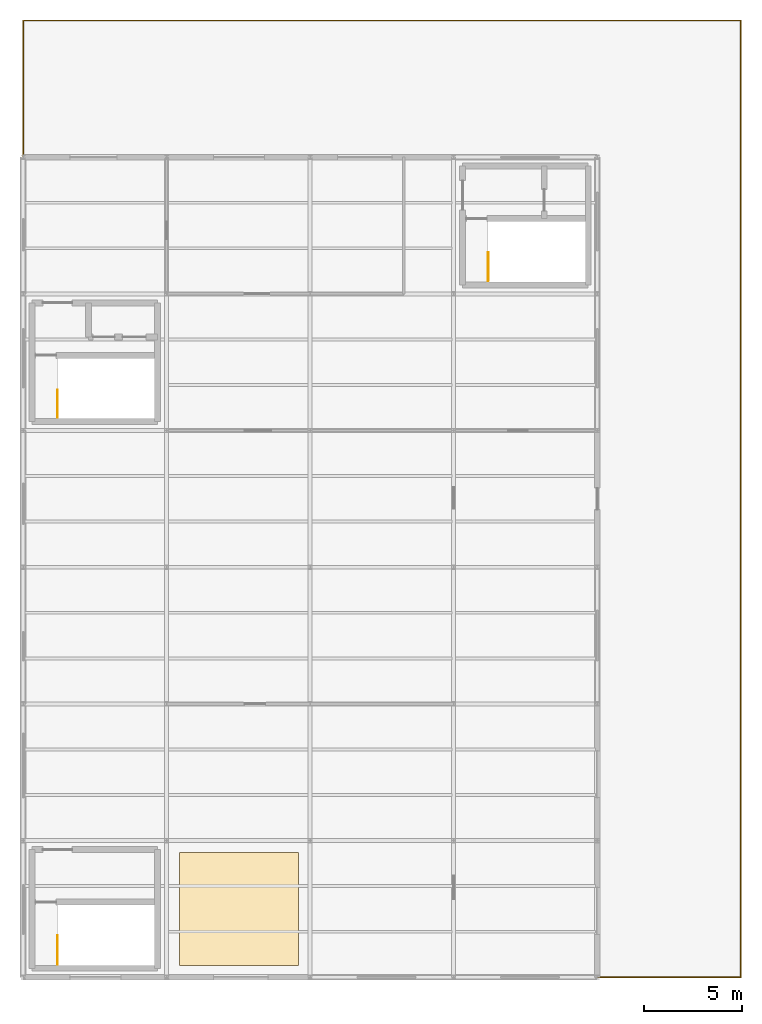
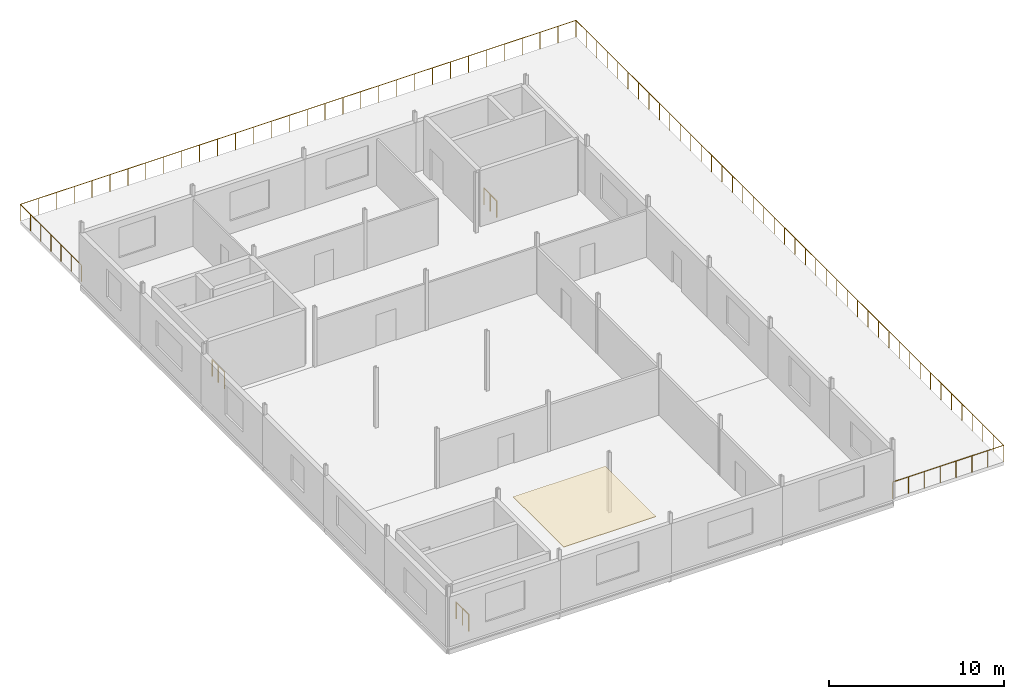
# One storey, part 10 of 10: 4 railings, 1 covering.
"""IFC4 building model written with IfcOpenShell, lengths in metres."""

from ifc_helpers import new_model, si_unit, direction, frame, origin, origin_2d, place, context, subcontext, project, spatial, polyline, circle, outline, extrude, material, layer, layer_set, type_object, element, save


model = new_model("IFC4")

# Units and contexts
model_context = context("Model", 3, precision=1e-05, world=origin(), true_north=direction((0.0, 1.0)))
body_context = subcontext(model_context, "Body", "Model", "MODEL_VIEW")
ifc_project = project(units=[si_unit("LENGTHUNIT", "METRE"), si_unit("AREAUNIT", "SQUARE_METRE"), si_unit("VOLUMEUNIT", "CUBIC_METRE"), si_unit("PLANEANGLEUNIT", "RADIAN"), si_unit("MASSUNIT", "GRAM", prefix="KILO")], contexts=[model_context])

# Site, building, storey
site_placement = place(None, origin())
site = spatial("IfcSite", under=ifc_project, at=site_placement, CompositionType="ELEMENT")
building_placement = place(site_placement, origin())
building = spatial("IfcBuilding", under=site, at=building_placement, Name="Kazenagashi Tramway Depot", CompositionType="ELEMENT")
storey_placement = place(building_placement, frame((0.0, 0.0, 19.5)))
storey = spatial("IfcBuildingStorey", under=building, at=storey_placement, Name="L05", CompositionType="ELEMENT", Elevation=19.5)

# Covering
ifc_material_1 = material(Name="Acoustic Mineral Fibre Board", Category="insulation")
ifc_layer = layer(ifc_material_1, 0.035)
ifc_layer_set = layer_set([ifc_layer], Name="Acoustic Mineral Fibre Board")
covering_type = type_object("IfcCoveringType", Name="CV-CE1", PredefinedType="CEILING", material=ifc_layer_set)
covering_placement = place(storey_placement, frame((0.0, 0.0, 3.71)))
element("IfcCovering", 1, at=covering_placement, inside=storey, type_object=covering_type, Name="Acoustic Baffle Ceiling Panel 8", PredefinedType="CEILING", context=body_context, shape_type="SweptSolid", body=[
    extrude(outline(polyline([(8.0, 0.6), (14.1, 0.6), (14.1, 6.4), (8.0, 6.4), (8.0, 0.6)])), origin(), (0.0, 0.0, 1.0), 0.035),
])

# Railings
ifc_material_2 = material(Name="Galvanised Painted Steel Balustrade", Category="steel")
railing_type_1 = type_object("IfcRailingType", Name="GR-01", PredefinedType="GUARDRAIL", material=ifc_material_2)
railing_1_placement = place(storey_placement, frame((1.76, 28.67, 0.0)))
element("IfcRailing", 2, at=railing_1_placement, inside=storey, type_object=railing_type_1, Name="Stairwell ST-04 Arrival Guardrail", PredefinedType="GUARDRAIL", context=body_context, shape_type="SweptSolid", body=[
    extrude(circle(Radius=0.024, at=origin_2d()), frame((0.0, 0.0, 1.156), z_axis=(0.0, 1.0, 0.0), x_axis=(-1.0, 0.0, 0.0)), (0.0, 0.0, 1.0), 1.4),
    extrude(circle(Radius=0.021, at=origin_2d()), origin(), (0.0, 0.0, 1.0), 1.132),
    extrude(circle(Radius=0.021, at=origin_2d()), frame((0.0, 0.7, 0.0)), (0.0, 0.0, 1.0), 1.132),
    extrude(circle(Radius=0.021, at=origin_2d()), frame((0.0, 1.4, 0.0)), (0.0, 0.0, 1.0), 1.132),
])
for number, where, name in (
    (3, (23.81, 35.67, 0.0), "Stairwell ST-08 Arrival Guardrail"),
    (4, (1.76, 0.67, 0.0), "Stairwell ST-15 Arrival Guardrail"),
):
    element("IfcRailing", number, at=place(storey_placement, frame(where)), inside=storey, type_object=railing_type_1, Name=name, PredefinedType="GUARDRAIL", context=body_context, shape_type="SweptSolid", body=[
        extrude(circle(Radius=0.024, at=origin_2d()), frame((0.0, 0.0, 1.156), z_axis=(0.0, 1.0, 0.0), x_axis=(-1.0, 0.0, 0.0)), (0.0, 0.0, 1.0), 1.45),
        extrude(circle(Radius=0.021, at=origin_2d()), origin(), (0.0, 0.0, 1.0), 1.132),
        extrude(circle(Radius=0.021, at=origin_2d()), frame((0.0, 0.725, 0.0)), (0.0, 0.0, 1.0), 1.132),
        extrude(circle(Radius=0.021, at=origin_2d()), frame((0.0, 1.45, 0.0)), (0.0, 0.0, 1.0), 1.132),
    ])
ifc_material_3 = material(Name="Weathering Steel SMA490W Balustrade", Category="steel")
railing_type_2 = type_object("IfcRailingType", Name="GR-02", PredefinedType="GUARDRAIL", material=ifc_material_3)
railing_2_placement = place(storey_placement, frame((29.4, 0.0, 0.0)))
element("IfcRailing", 5, at=railing_2_placement, inside=storey, type_object=railing_type_2, Name="Terrace Perimeter Guardrail GR-02 4", PredefinedType="GUARDRAIL", context=body_context, shape_type="SweptSolid", body=[
    extrude(circle(Radius=0.024, at=origin_2d()), frame((0.0, 0.0, 1.156), z_axis=(1.0, 0.0, 0.0), x_axis=(0.0, 1.0, 0.0)), (0.0, 0.0, 1.0), 7.35),
    extrude(circle(Radius=0.024, at=origin_2d()), frame((7.35, 0.0, 1.156), z_axis=(0.0, 1.0, 0.0), x_axis=(-1.0, 0.0, 0.0)), (0.0, 0.0, 1.0), 49.0),
    extrude(circle(Radius=0.024, at=origin_2d()), frame((7.35, 49.0, 1.156), z_axis=(-1.0, 0.0, 0.0), x_axis=(0.0, -1.0, 0.0)), (0.0, 0.0, 1.0), 36.75),
    extrude(circle(Radius=0.024, at=origin_2d()), frame((-29.4, 49.0, 1.156), z_axis=(0.0, -1.0, 0.0), x_axis=(1.0, 0.0, 0.0)), (0.0, 0.0, 1.0), 7.0),
    extrude(circle(Radius=0.021, at=origin_2d()), origin(), (0.0, 0.0, 1.0), 1.132),
    extrude(circle(Radius=0.021, at=origin_2d()), frame((1.05, 0.0, 0.0)), (0.0, 0.0, 1.0), 1.132),
    extrude(circle(Radius=0.021, at=origin_2d()), frame((2.1, 0.0, 0.0)), (0.0, 0.0, 1.0), 1.132),
    extrude(circle(Radius=0.021, at=origin_2d()), frame((3.15, 0.0, 0.0)), (0.0, 0.0, 1.0), 1.132),
    extrude(circle(Radius=0.021, at=origin_2d()), frame((4.2, 0.0, 0.0)), (0.0, 0.0, 1.0), 1.132),
    extrude(circle(Radius=0.021, at=origin_2d()), frame((5.25, 0.0, 0.0)), (0.0, 0.0, 1.0), 1.132),
    extrude(circle(Radius=0.021, at=origin_2d()), frame((6.3, 0.0, 0.0)), (0.0, 0.0, 1.0), 1.132),
    extrude(circle(Radius=0.021, at=origin_2d()), frame((7.35, 0.0, 0.0)), (0.0, 0.0, 1.0), 1.132),
    extrude(circle(Radius=0.021, at=origin_2d()), frame((7.35, 1.195122, 0.0)), (0.0, 0.0, 1.0), 1.132),
    extrude(circle(Radius=0.021, at=origin_2d()), frame((7.35, 2.390244, 0.0)), (0.0, 0.0, 1.0), 1.132),
    extrude(circle(Radius=0.021, at=origin_2d()), frame((7.35, 3.585366, 0.0)), (0.0, 0.0, 1.0), 1.132),
    extrude(circle(Radius=0.021, at=origin_2d()), frame((7.35, 4.780488, 0.0)), (0.0, 0.0, 1.0), 1.132),
    extrude(circle(Radius=0.021, at=origin_2d()), frame((7.35, 5.97561, 0.0)), (0.0, 0.0, 1.0), 1.132),
    extrude(circle(Radius=0.021, at=origin_2d()), frame((7.35, 7.170732, 0.0)), (0.0, 0.0, 1.0), 1.132),
    extrude(circle(Radius=0.021, at=origin_2d()), frame((7.35, 8.365854, 0.0)), (0.0, 0.0, 1.0), 1.132),
    extrude(circle(Radius=0.021, at=origin_2d()), frame((7.35, 9.560976, 0.0)), (0.0, 0.0, 1.0), 1.132),
    extrude(circle(Radius=0.021, at=origin_2d()), frame((7.35, 10.756098, 0.0)), (0.0, 0.0, 1.0), 1.132),
    extrude(circle(Radius=0.021, at=origin_2d()), frame((7.35, 11.95122, 0.0)), (0.0, 0.0, 1.0), 1.132),
    extrude(circle(Radius=0.021, at=origin_2d()), frame((7.35, 13.146341, 0.0)), (0.0, 0.0, 1.0), 1.132),
    extrude(circle(Radius=0.021, at=origin_2d()), frame((7.35, 14.341463, 0.0)), (0.0, 0.0, 1.0), 1.132),
    extrude(circle(Radius=0.021, at=origin_2d()), frame((7.35, 15.536585, 0.0)), (0.0, 0.0, 1.0), 1.132),
    extrude(circle(Radius=0.021, at=origin_2d()), frame((7.35, 16.731707, 0.0)), (0.0, 0.0, 1.0), 1.132),
    extrude(circle(Radius=0.021, at=origin_2d()), frame((7.35, 17.926829, 0.0)), (0.0, 0.0, 1.0), 1.132),
    extrude(circle(Radius=0.021, at=origin_2d()), frame((7.35, 19.121951, 0.0)), (0.0, 0.0, 1.0), 1.132),
    extrude(circle(Radius=0.021, at=origin_2d()), frame((7.35, 20.317073, 0.0)), (0.0, 0.0, 1.0), 1.132),
    extrude(circle(Radius=0.021, at=origin_2d()), frame((7.35, 21.512195, 0.0)), (0.0, 0.0, 1.0), 1.132),
    extrude(circle(Radius=0.021, at=origin_2d()), frame((7.35, 22.707317, 0.0)), (0.0, 0.0, 1.0), 1.132),
    extrude(circle(Radius=0.021, at=origin_2d()), frame((7.35, 23.902439, 0.0)), (0.0, 0.0, 1.0), 1.132),
    extrude(circle(Radius=0.021, at=origin_2d()), frame((7.35, 25.097561, 0.0)), (0.0, 0.0, 1.0), 1.132),
    extrude(circle(Radius=0.021, at=origin_2d()), frame((7.35, 26.292683, 0.0)), (0.0, 0.0, 1.0), 1.132),
    extrude(circle(Radius=0.021, at=origin_2d()), frame((7.35, 27.487805, 0.0)), (0.0, 0.0, 1.0), 1.132),
    extrude(circle(Radius=0.021, at=origin_2d()), frame((7.35, 28.682927, 0.0)), (0.0, 0.0, 1.0), 1.132),
    extrude(circle(Radius=0.021, at=origin_2d()), frame((7.35, 29.878049, 0.0)), (0.0, 0.0, 1.0), 1.132),
    extrude(circle(Radius=0.021, at=origin_2d()), frame((7.35, 31.073171, 0.0)), (0.0, 0.0, 1.0), 1.132),
    extrude(circle(Radius=0.021, at=origin_2d()), frame((7.35, 32.268293, 0.0)), (0.0, 0.0, 1.0), 1.132),
    extrude(circle(Radius=0.021, at=origin_2d()), frame((7.35, 33.463415, 0.0)), (0.0, 0.0, 1.0), 1.132),
    extrude(circle(Radius=0.021, at=origin_2d()), frame((7.35, 34.658537, 0.0)), (0.0, 0.0, 1.0), 1.132),
    extrude(circle(Radius=0.021, at=origin_2d()), frame((7.35, 35.853659, 0.0)), (0.0, 0.0, 1.0), 1.132),
    extrude(circle(Radius=0.021, at=origin_2d()), frame((7.35, 37.04878, 0.0)), (0.0, 0.0, 1.0), 1.132),
    extrude(circle(Radius=0.021, at=origin_2d()), frame((7.35, 38.243902, 0.0)), (0.0, 0.0, 1.0), 1.132),
    extrude(circle(Radius=0.021, at=origin_2d()), frame((7.35, 39.439024, 0.0)), (0.0, 0.0, 1.0), 1.132),
    extrude(circle(Radius=0.021, at=origin_2d()), frame((7.35, 40.634146, 0.0)), (0.0, 0.0, 1.0), 1.132),
    extrude(circle(Radius=0.021, at=origin_2d()), frame((7.35, 41.829268, 0.0)), (0.0, 0.0, 1.0), 1.132),
    extrude(circle(Radius=0.021, at=origin_2d()), frame((7.35, 43.02439, 0.0)), (0.0, 0.0, 1.0), 1.132),
    extrude(circle(Radius=0.021, at=origin_2d()), frame((7.35, 44.219512, 0.0)), (0.0, 0.0, 1.0), 1.132),
    extrude(circle(Radius=0.021, at=origin_2d()), frame((7.35, 45.414634, 0.0)), (0.0, 0.0, 1.0), 1.132),
    extrude(circle(Radius=0.021, at=origin_2d()), frame((7.35, 46.609756, 0.0)), (0.0, 0.0, 1.0), 1.132),
    extrude(circle(Radius=0.021, at=origin_2d()), frame((7.35, 47.804878, 0.0)), (0.0, 0.0, 1.0), 1.132),
    extrude(circle(Radius=0.021, at=origin_2d()), frame((7.35, 49.0, 0.0)), (0.0, 0.0, 1.0), 1.132),
    extrude(circle(Radius=0.021, at=origin_2d()), frame((6.164516, 49.0, 0.0)), (0.0, 0.0, 1.0), 1.132),
    extrude(circle(Radius=0.021, at=origin_2d()), frame((4.979032, 49.0, 0.0)), (0.0, 0.0, 1.0), 1.132),
    extrude(circle(Radius=0.021, at=origin_2d()), frame((3.793548, 49.0, 0.0)), (0.0, 0.0, 1.0), 1.132),
    extrude(circle(Radius=0.021, at=origin_2d()), frame((2.608065, 49.0, 0.0)), (0.0, 0.0, 1.0), 1.132),
    extrude(circle(Radius=0.021, at=origin_2d()), frame((1.422581, 49.0, 0.0)), (0.0, 0.0, 1.0), 1.132),
    extrude(circle(Radius=0.021, at=origin_2d()), frame((0.237097, 49.0, 0.0)), (0.0, 0.0, 1.0), 1.132),
    extrude(circle(Radius=0.021, at=origin_2d()), frame((-0.948387, 49.0, 0.0)), (0.0, 0.0, 1.0), 1.132),
    extrude(circle(Radius=0.021, at=origin_2d()), frame((-2.133871, 49.0, 0.0)), (0.0, 0.0, 1.0), 1.132),
    extrude(circle(Radius=0.021, at=origin_2d()), frame((-3.319355, 49.0, 0.0)), (0.0, 0.0, 1.0), 1.132),
    extrude(circle(Radius=0.021, at=origin_2d()), frame((-4.504839, 49.0, 0.0)), (0.0, 0.0, 1.0), 1.132),
    extrude(circle(Radius=0.021, at=origin_2d()), frame((-5.690323, 49.0, 0.0)), (0.0, 0.0, 1.0), 1.132),
    extrude(circle(Radius=0.021, at=origin_2d()), frame((-6.875806, 49.0, 0.0)), (0.0, 0.0, 1.0), 1.132),
    extrude(circle(Radius=0.021, at=origin_2d()), frame((-8.06129, 49.0, 0.0)), (0.0, 0.0, 1.0), 1.132),
    extrude(circle(Radius=0.021, at=origin_2d()), frame((-9.246774, 49.0, 0.0)), (0.0, 0.0, 1.0), 1.132),
    extrude(circle(Radius=0.021, at=origin_2d()), frame((-10.432258, 49.0, 0.0)), (0.0, 0.0, 1.0), 1.132),
    extrude(circle(Radius=0.021, at=origin_2d()), frame((-11.617742, 49.0, 0.0)), (0.0, 0.0, 1.0), 1.132),
    extrude(circle(Radius=0.021, at=origin_2d()), frame((-12.803226, 49.0, 0.0)), (0.0, 0.0, 1.0), 1.132),
    extrude(circle(Radius=0.021, at=origin_2d()), frame((-13.98871, 49.0, 0.0)), (0.0, 0.0, 1.0), 1.132),
    extrude(circle(Radius=0.021, at=origin_2d()), frame((-15.174194, 49.0, 0.0)), (0.0, 0.0, 1.0), 1.132),
    extrude(circle(Radius=0.021, at=origin_2d()), frame((-16.359677, 49.0, 0.0)), (0.0, 0.0, 1.0), 1.132),
    extrude(circle(Radius=0.021, at=origin_2d()), frame((-17.545161, 49.0, 0.0)), (0.0, 0.0, 1.0), 1.132),
    extrude(circle(Radius=0.021, at=origin_2d()), frame((-18.730645, 49.0, 0.0)), (0.0, 0.0, 1.0), 1.132),
    extrude(circle(Radius=0.021, at=origin_2d()), frame((-19.916129, 49.0, 0.0)), (0.0, 0.0, 1.0), 1.132),
    extrude(circle(Radius=0.021, at=origin_2d()), frame((-21.101613, 49.0, 0.0)), (0.0, 0.0, 1.0), 1.132),
    extrude(circle(Radius=0.021, at=origin_2d()), frame((-22.287097, 49.0, 0.0)), (0.0, 0.0, 1.0), 1.132),
    extrude(circle(Radius=0.021, at=origin_2d()), frame((-23.472581, 49.0, 0.0)), (0.0, 0.0, 1.0), 1.132),
    extrude(circle(Radius=0.021, at=origin_2d()), frame((-24.658065, 49.0, 0.0)), (0.0, 0.0, 1.0), 1.132),
    extrude(circle(Radius=0.021, at=origin_2d()), frame((-25.843548, 49.0, 0.0)), (0.0, 0.0, 1.0), 1.132),
    extrude(circle(Radius=0.021, at=origin_2d()), frame((-27.029032, 49.0, 0.0)), (0.0, 0.0, 1.0), 1.132),
    extrude(circle(Radius=0.021, at=origin_2d()), frame((-28.214516, 49.0, 0.0)), (0.0, 0.0, 1.0), 1.132),
    extrude(circle(Radius=0.021, at=origin_2d()), frame((-29.4, 49.0, 0.0)), (0.0, 0.0, 1.0), 1.132),
    extrude(circle(Radius=0.021, at=origin_2d()), frame((-29.4, 47.833333, 0.0)), (0.0, 0.0, 1.0), 1.132),
    extrude(circle(Radius=0.021, at=origin_2d()), frame((-29.4, 46.666667, 0.0)), (0.0, 0.0, 1.0), 1.132),
    extrude(circle(Radius=0.021, at=origin_2d()), frame((-29.4, 45.5, 0.0)), (0.0, 0.0, 1.0), 1.132),
    extrude(circle(Radius=0.021, at=origin_2d()), frame((-29.4, 44.333333, 0.0)), (0.0, 0.0, 1.0), 1.132),
    extrude(circle(Radius=0.021, at=origin_2d()), frame((-29.4, 43.166667, 0.0)), (0.0, 0.0, 1.0), 1.132),
    extrude(circle(Radius=0.021, at=origin_2d()), frame((-29.4, 42.0, 0.0)), (0.0, 0.0, 1.0), 1.132),
])

save(model, "model.ifc")
